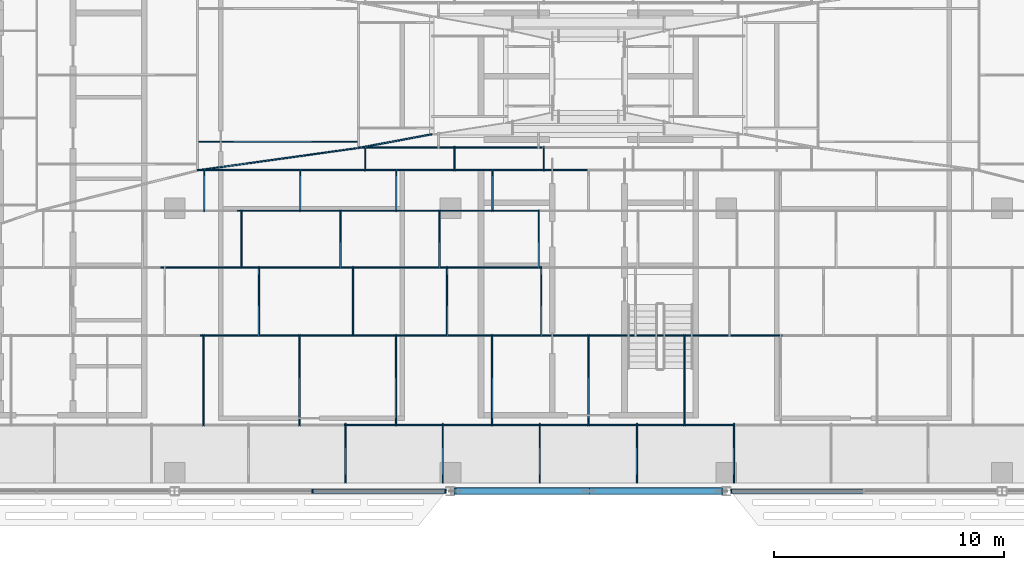
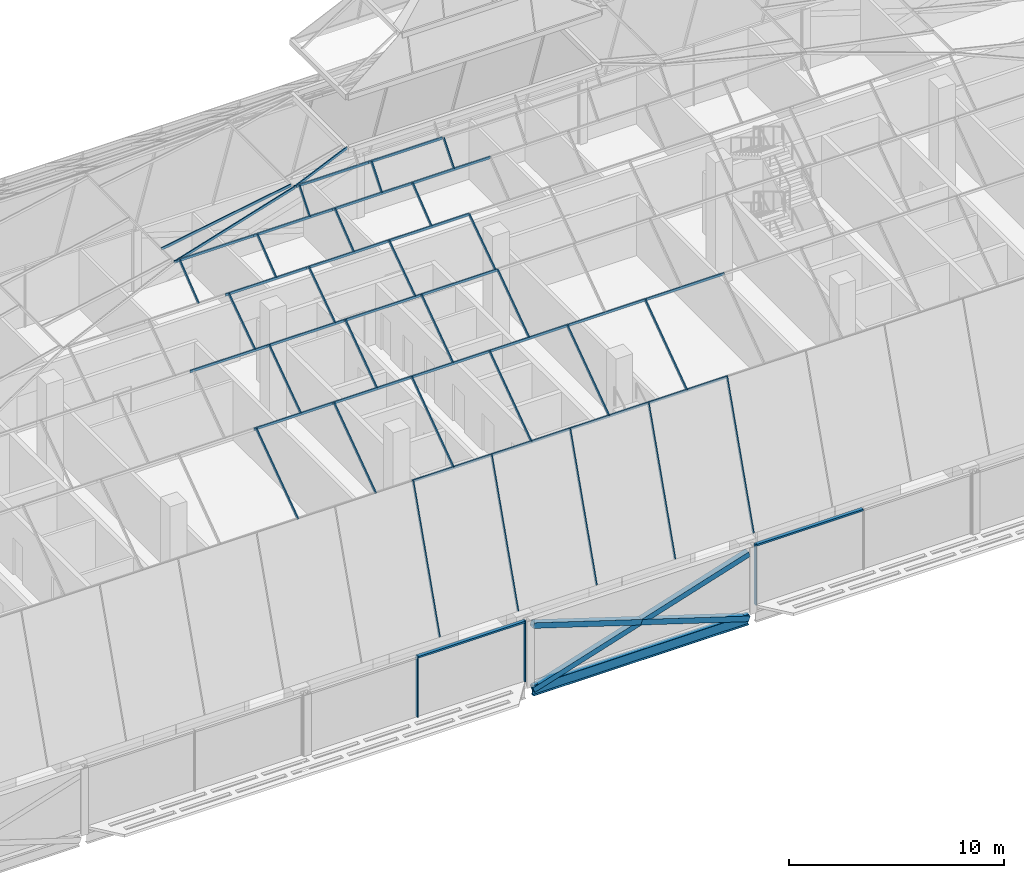
# One storey, part 9 of 39: 60 members, 1 beam, 10 elements without a shape of their own.
"""IFC4 building model written with IfcOpenShell, lengths in metres."""

from ifc_helpers import new_model, si_unit, direction, frame, origin, origin_2d, place, context, subcontext, project, spatial, rectangle, hollow_rectangle, i_section, extrude, material, material_profile, profile_set, type_object, element, aggregate, save


model = new_model("IFC4")

# Units and contexts
model_context = context("Model", 3, precision=1e-05, world=origin(), true_north=direction((0.0, 1.0)))
body_context = subcontext(model_context, "Body", "Model", "MODEL_VIEW")
ifc_project = project(units=[si_unit("LENGTHUNIT", "METRE"), si_unit("AREAUNIT", "SQUARE_METRE"), si_unit("VOLUMEUNIT", "CUBIC_METRE"), si_unit("PLANEANGLEUNIT", "RADIAN"), si_unit("MASSUNIT", "GRAM", prefix="KILO")], contexts=[model_context])

# Site, building, storey
site_placement = place(None, origin())
site = spatial("IfcSite", under=ifc_project, at=site_placement, CompositionType="ELEMENT")
building_placement = place(site_placement, origin())
building = spatial("IfcBuilding", under=site, at=building_placement, Name="Mahtab Terrace Research Tower", CompositionType="ELEMENT")
storey_placement = place(building_placement, frame((0.0, 0.0, 282.300048828125)))
storey = spatial("IfcBuildingStorey", under=building, at=storey_placement, Name="L69", CompositionType="ELEMENT", Elevation=282.300048828125)

# Curtain wall, members
ifc_material_1 = material(Name="Crown faceted glass roof")
curtain_wall_type_1 = type_object("IfcCurtainWallType", Name="Crown faceted glass roof", PredefinedType="NOTDEFINED", material=ifc_material_1)
curtain_wall_1_placement = place(storey_placement, origin())
curtain_wall_1 = element("IfcCurtainWall", 1, at=curtain_wall_1_placement, inside=storey, type_object=curtain_wall_type_1, Name="CROWN.S0", PredefinedType="NOTDEFINED")
ifc_material_2 = material(Name="Natural anodised aluminium", Category="aluminium")
ifc_material_profile_1 = material_profile(ifc_material_2, rectangle(XDim=0.06005859375, YDim=0.139892578125, at=origin_2d()), Name="MULLION 60x140")
ifc_profile_set_1 = profile_set([ifc_material_profile_1], Name="Natural anodised aluminium")
member_type_1 = type_object("IfcMemberType", Name="Crown faceted glass roof mullion", PredefinedType="MULLION", material=ifc_profile_set_1)
member_1_placement = place(storey_placement, frame((-10.55908203125, -11.890625, 3.77783203125), z_axis=(0.0, 0.317653941865, 0.948206714392), x_axis=(-1.0, 0.0, 0.0)))
member_1 = element("IfcMember", 2, at=member_1_placement, type_object=member_type_1, Name="CWC-S1 mullion 9", PredefinedType="MULLION", context=body_context, shape_type="SweptSolid", body=[
    extrude(rectangle(XDim=0.06005859375, YDim=0.139892578125, at=origin_2d()), origin(), (0.0, 0.0, 1.0), 7.80419921875),
])
member_2_placement = place(storey_placement, frame((-6.33544921875, -11.890625, 3.77783203125), z_axis=(0.0, 0.317653941865, 0.948206714392), x_axis=(-1.0, 0.0, 0.0)))
member_2 = element("IfcMember", 3, at=member_2_placement, type_object=member_type_1, Name="CWC-S1 mullion 10", PredefinedType="MULLION", context=body_context, shape_type="SweptSolid", body=[
    extrude(rectangle(XDim=0.06005859375, YDim=0.139892578125, at=origin_2d()), origin(), (0.0, 0.0, 1.0), 7.80419921875),
])
member_3_placement = place(storey_placement, frame((-2.11181640625, -11.890625, 3.77783203125), z_axis=(0.0, 0.317653941865, 0.948206714392), x_axis=(-1.0, 0.0, 0.0)))
member_3 = element("IfcMember", 4, at=member_3_placement, type_object=member_type_1, Name="CWC-S1 mullion 11", PredefinedType="MULLION", context=body_context, shape_type="SweptSolid", body=[
    extrude(rectangle(XDim=0.06005859375, YDim=0.139892578125, at=origin_2d()), origin(), (0.0, 0.0, 1.0), 7.80419921875),
])
member_4_placement = place(storey_placement, frame((2.11181640625, -11.890625, 3.77783203125), z_axis=(0.0, 0.317653941865, 0.948206714392), x_axis=(-1.0, 0.0, 0.0)))
member_4 = element("IfcMember", 5, at=member_4_placement, type_object=member_type_1, Name="CWC-S1 mullion 12", PredefinedType="MULLION", context=body_context, shape_type="SweptSolid", body=[
    extrude(rectangle(XDim=0.06005859375, YDim=0.139892578125, at=origin_2d()), origin(), (0.0, 0.0, 1.0), 7.80419921875),
])
member_5_placement = place(storey_placement, frame((6.33544921875, -11.890625, 3.77783203125), z_axis=(0.0, 0.317653941865, 0.948206714392), x_axis=(-1.0, 0.0, 0.0)))
member_5 = element("IfcMember", 6, at=member_5_placement, type_object=member_type_1, Name="CWC-S1 mullion 13", PredefinedType="MULLION", context=body_context, shape_type="SweptSolid", body=[
    extrude(rectangle(XDim=0.06005859375, YDim=0.139892578125, at=origin_2d()), origin(), (0.0, 0.0, 1.0), 7.80419921875),
])
aggregate(curtain_wall_1, [member_1, member_2, member_3, member_4, member_5])

curtain_wall_2_placement = place(storey_placement, origin())
curtain_wall_2 = element("IfcCurtainWall", 7, at=curtain_wall_2_placement, inside=storey, type_object=curtain_wall_type_1, Name="CROWN.S1", PredefinedType="NOTDEFINED")
member_6_placement = place(storey_placement, frame((-16.745361328125, -9.437255859375, 11.14306640625), z_axis=(0.0, 0.813260115318, 0.581900322077), x_axis=(-1.0, 0.0, 0.0)))
member_6 = element("IfcMember", 8, at=member_6_placement, type_object=member_type_1, Name="CWC-S2 mullion 6", PredefinedType="MULLION", context=body_context, shape_type="SweptSolid", body=[
    extrude(rectangle(XDim=0.06005859375, YDim=0.139892578125, at=origin_2d()), origin(), (0.0, 0.0, 1.0), 4.81201171875),
])
member_7_placement = place(storey_placement, frame((-12.55908203125, -9.437255859375, 11.14306640625), z_axis=(0.0, 0.813260115318, 0.581900322077), x_axis=(-1.0, 0.0, 0.0)))
member_7 = element("IfcMember", 9, at=member_7_placement, type_object=member_type_1, Name="CWC-S2 mullion 7", PredefinedType="MULLION", context=body_context, shape_type="SweptSolid", body=[
    extrude(rectangle(XDim=0.06005859375, YDim=0.139892578125, at=origin_2d()), origin(), (0.0, 0.0, 1.0), 4.81201171875),
])
member_8_placement = place(storey_placement, frame((-8.372802734375, -9.437255859375, 11.14306640625), z_axis=(0.0, 0.813260115318, 0.581900322077), x_axis=(-1.0, 0.0, 0.0)))
member_8 = element("IfcMember", 10, at=member_8_placement, type_object=member_type_1, Name="CWC-S2 mullion 8", PredefinedType="MULLION", context=body_context, shape_type="SweptSolid", body=[
    extrude(rectangle(XDim=0.06005859375, YDim=0.139892578125, at=origin_2d()), origin(), (0.0, 0.0, 1.0), 4.81201171875),
])
member_9_placement = place(storey_placement, frame((-4.186279296875, -9.437255859375, 11.14306640625), z_axis=(0.0, 0.813260115318, 0.581900322077), x_axis=(-1.0, 0.0, 0.0)))
member_9 = element("IfcMember", 11, at=member_9_placement, type_object=member_type_1, Name="CWC-S2 mullion 9", PredefinedType="MULLION", context=body_context, shape_type="SweptSolid", body=[
    extrude(rectangle(XDim=0.06005859375, YDim=0.139892578125, at=origin_2d()), origin(), (0.0, 0.0, 1.0), 4.81201171875),
])
member_10_placement = place(storey_placement, frame((0.0, -9.437255859375, 11.14306640625), z_axis=(0.0, 0.813260115318, 0.581900322077), x_axis=(-1.0, 0.0, 0.0)))
member_10 = element("IfcMember", 12, at=member_10_placement, type_object=member_type_1, Name="CWC-S2 mullion 10", PredefinedType="MULLION", context=body_context, shape_type="SweptSolid", body=[
    extrude(rectangle(XDim=0.06005859375, YDim=0.139892578125, at=origin_2d()), origin(), (0.0, 0.0, 1.0), 4.81201171875),
])
member_11_placement = place(storey_placement, frame((4.186279296875, -9.437255859375, 11.14306640625), z_axis=(0.0, 0.813260115318, 0.581900322077), x_axis=(-1.0, 0.0, 0.0)))
member_11 = element("IfcMember", 13, at=member_11_placement, type_object=member_type_1, Name="CWC-S2 mullion 11", PredefinedType="MULLION", context=body_context, shape_type="SweptSolid", body=[
    extrude(rectangle(XDim=0.06005859375, YDim=0.139892578125, at=origin_2d()), origin(), (0.0, 0.0, 1.0), 4.81201171875),
])

curtain_wall_3_placement = place(storey_placement, origin())
curtain_wall_3 = element("IfcCurtainWall", 14, at=curtain_wall_3_placement, inside=storey, type_object=curtain_wall_type_1, Name="CROWN.S2", PredefinedType="NOTDEFINED")
member_12_placement = place(storey_placement, frame((-14.336181640625, -5.524169921875, 13.94287109375), z_axis=(0.0, 0.815304175088, 0.57903290242), x_axis=(-1.0, 0.0, 0.0)))
member_12 = element("IfcMember", 15, at=member_12_placement, type_object=member_type_1, Name="CWC-S3 mullion 5", PredefinedType="MULLION", context=body_context, shape_type="SweptSolid", body=[
    extrude(rectangle(XDim=0.06005859375, YDim=0.139892578125, at=origin_2d()), origin(), (0.0, 0.0, 1.0), 3.626953125),
])
member_13_placement = place(storey_placement, frame((-10.239990234375, -5.524169921875, 13.94287109375), z_axis=(0.0, 0.815304175088, 0.57903290242), x_axis=(-1.0, 0.0, 0.0)))
member_13 = element("IfcMember", 16, at=member_13_placement, type_object=member_type_1, Name="CWC-S3 mullion 6", PredefinedType="MULLION", context=body_context, shape_type="SweptSolid", body=[
    extrude(rectangle(XDim=0.06005859375, YDim=0.139892578125, at=origin_2d()), origin(), (0.0, 0.0, 1.0), 3.626953125),
])
member_14_placement = place(storey_placement, frame((-6.14404296875, -5.524169921875, 13.94287109375), z_axis=(0.0, 0.815304175088, 0.57903290242), x_axis=(-1.0, 0.0, 0.0)))
member_14 = element("IfcMember", 17, at=member_14_placement, type_object=member_type_1, Name="CWC-S3 mullion 7", PredefinedType="MULLION", context=body_context, shape_type="SweptSolid", body=[
    extrude(rectangle(XDim=0.06005859375, YDim=0.139892578125, at=origin_2d()), origin(), (0.0, 0.0, 1.0), 3.626953125),
])
member_15_placement = place(storey_placement, frame((-2.048095703125, -5.524169921875, 13.94287109375), z_axis=(0.0, 0.815304175088, 0.57903290242), x_axis=(-1.0, 0.0, 0.0)))
member_15 = element("IfcMember", 18, at=member_15_placement, type_object=member_type_1, Name="CWC-S3 mullion 8", PredefinedType="MULLION", context=body_context, shape_type="SweptSolid", body=[
    extrude(rectangle(XDim=0.06005859375, YDim=0.139892578125, at=origin_2d()), origin(), (0.0, 0.0, 1.0), 3.626953125),
])

curtain_wall_4_placement = place(storey_placement, origin())
curtain_wall_4 = element("IfcCurtainWall", 19, at=curtain_wall_4_placement, inside=storey, type_object=curtain_wall_type_1, Name="CROWN.S3", PredefinedType="NOTDEFINED")
member_16_placement = place(storey_placement, frame((-15.091796875, -2.56787109375, 16.042236328125), z_axis=(0.0, 0.822770587003, 0.568373610544), x_axis=(-1.0, 0.0, 0.0)))
member_16 = element("IfcMember", 20, at=member_16_placement, type_object=member_type_1, Name="CWC-S4 mullion 3", PredefinedType="MULLION", context=body_context, shape_type="SweptSolid", body=[
    extrude(rectangle(XDim=0.06005859375, YDim=0.139892578125, at=origin_2d()), origin(), (0.0, 0.0, 1.0), 2.991455078125),
])
member_17_placement = place(storey_placement, frame((-10.77978515625, -2.56787109375, 16.042236328125), z_axis=(0.0, 0.822770587003, 0.568373610544), x_axis=(-1.0, 0.0, 0.0)))
member_17 = element("IfcMember", 21, at=member_17_placement, type_object=member_type_1, Name="CWC-S4 mullion 4", PredefinedType="MULLION", context=body_context, shape_type="SweptSolid", body=[
    extrude(rectangle(XDim=0.06005859375, YDim=0.139892578125, at=origin_2d()), origin(), (0.0, 0.0, 1.0), 2.991455078125),
])
member_18_placement = place(storey_placement, frame((-6.468017578125, -2.56787109375, 16.042236328125), z_axis=(0.0, 0.822770587003, 0.568373610544), x_axis=(-1.0, 0.0, 0.0)))
member_18 = element("IfcMember", 22, at=member_18_placement, type_object=member_type_1, Name="CWC-S4 mullion 5", PredefinedType="MULLION", context=body_context, shape_type="SweptSolid", body=[
    extrude(rectangle(XDim=0.06005859375, YDim=0.139892578125, at=origin_2d()), origin(), (0.0, 0.0, 1.0), 2.991455078125),
])
member_19_placement = place(storey_placement, frame((-2.156005859375, -2.56787109375, 16.042236328125), z_axis=(0.0, 0.822770587003, 0.568373610544), x_axis=(-1.0, 0.0, 0.0)))
member_19 = element("IfcMember", 23, at=member_19_placement, type_object=member_type_1, Name="CWC-S4 mullion 6", PredefinedType="MULLION", context=body_context, shape_type="SweptSolid", body=[
    extrude(rectangle(XDim=0.06005859375, YDim=0.139892578125, at=origin_2d()), origin(), (0.0, 0.0, 1.0), 2.991455078125),
])

curtain_wall_5_placement = place(storey_placement, origin())
curtain_wall_5 = element("IfcCurtainWall", 24, at=curtain_wall_5_placement, inside=storey, type_object=curtain_wall_type_1, Name="CROWN.S4", PredefinedType="NOTDEFINED")
member_20_placement = place(storey_placement, frame((-16.7109375, -0.10302734375, 17.7451171875), z_axis=(0.0, 0.784464538832, 0.620173675122), x_axis=(-1.0, 0.0, 0.0)))
member_20 = element("IfcMember", 25, at=member_20_placement, type_object=member_type_1, Name="CWC-S5 mullion 1", PredefinedType="MULLION", context=body_context, shape_type="SweptSolid", body=[
    extrude(rectangle(XDim=0.06005859375, YDim=0.139892578125, at=origin_2d()), origin(), (0.0, 0.0, 1.0), 2.25732421875),
])
member_21_placement = place(storey_placement, frame((-12.533203125, -0.10302734375, 17.7451171875), z_axis=(0.0, 0.784464538832, 0.620173675122), x_axis=(-1.0, 0.0, 0.0)))
member_21 = element("IfcMember", 26, at=member_21_placement, type_object=member_type_1, Name="CWC-S5 mullion 2", PredefinedType="MULLION", context=body_context, shape_type="SweptSolid", body=[
    extrude(rectangle(XDim=0.06005859375, YDim=0.139892578125, at=origin_2d()), origin(), (0.0, 0.0, 1.0), 2.25732421875),
])
member_22_placement = place(storey_placement, frame((-8.35546875, -0.10302734375, 17.7451171875), z_axis=(0.0, 0.784464538832, 0.620173675122), x_axis=(-1.0, 0.0, 0.0)))
member_22 = element("IfcMember", 27, at=member_22_placement, type_object=member_type_1, Name="CWC-S5 mullion 3", PredefinedType="MULLION", context=body_context, shape_type="SweptSolid", body=[
    extrude(rectangle(XDim=0.06005859375, YDim=0.139892578125, at=origin_2d()), origin(), (0.0, 0.0, 1.0), 2.25732421875),
])
member_23_placement = place(storey_placement, frame((-4.177734375, -0.10302734375, 17.7451171875), z_axis=(0.0, 0.784464538832, 0.620173675122), x_axis=(-1.0, 0.0, 0.0)))
member_23 = element("IfcMember", 28, at=member_23_placement, type_object=member_type_1, Name="CWC-S5 mullion 4", PredefinedType="MULLION", context=body_context, shape_type="SweptSolid", body=[
    extrude(rectangle(XDim=0.06005859375, YDim=0.139892578125, at=origin_2d()), origin(), (0.0, 0.0, 1.0), 2.25732421875),
])

curtain_wall_6_placement = place(storey_placement, origin())
curtain_wall_6 = element("IfcCurtainWall", 29, at=curtain_wall_6_placement, inside=storey, type_object=curtain_wall_type_1, Name="CROWN.S5", PredefinedType="NOTDEFINED")
member_24_placement = place(storey_placement, frame((-9.70654296875, 1.6787109375, 19.15576171875), z_axis=(0.0, 0.630092976718, 0.776519697555), x_axis=(-1.0, 0.0, 0.0)))
member_24 = element("IfcMember", 30, at=member_24_placement, type_object=member_type_1, Name="CWC-S6 mullion 1", PredefinedType="MULLION", context=body_context, shape_type="SweptSolid", body=[
    extrude(rectangle(XDim=0.06005859375, YDim=0.139892578125, at=origin_2d()), origin(), (0.0, 0.0, 1.0), 1.545654296875),
])
member_25_placement = place(storey_placement, frame((-5.823974609375, 1.6787109375, 19.15576171875), z_axis=(0.0, 0.630092976718, 0.776519697555), x_axis=(-1.0, 0.0, 0.0)))
member_25 = element("IfcMember", 31, at=member_25_placement, type_object=member_type_1, Name="CWC-S6 mullion 2", PredefinedType="MULLION", context=body_context, shape_type="SweptSolid", body=[
    extrude(rectangle(XDim=0.06005859375, YDim=0.139892578125, at=origin_2d()), origin(), (0.0, 0.0, 1.0), 1.545654296875),
])
member_26_placement = place(storey_placement, frame((-1.94140625, 1.6787109375, 19.15576171875), z_axis=(0.0, 0.630092976718, 0.776519697555), x_axis=(-1.0, 0.0, 0.0)))
member_26 = element("IfcMember", 32, at=member_26_placement, type_object=member_type_1, Name="CWC-S6 mullion 3", PredefinedType="MULLION", context=body_context, shape_type="SweptSolid", body=[
    extrude(rectangle(XDim=0.06005859375, YDim=0.139892578125, at=origin_2d()), origin(), (0.0, 0.0, 1.0), 1.545654296875),
])

# Curtain wall, member
curtain_wall_7_placement = place(storey_placement, origin())
curtain_wall_7 = element("IfcCurtainWall", 33, at=curtain_wall_7_placement, inside=storey, type_object=curtain_wall_type_1, Name="CROWN.W5", PredefinedType="NOTDEFINED")
member_27_placement = place(storey_placement, frame((-16.999267578125, 2.898193359375, 19.130859375), z_axis=(0.985636308822, 0.0, 0.168881812909), x_axis=(0.0, 1.0, 0.0)))
member_27 = element("IfcMember", 34, at=member_27_placement, type_object=member_type_1, Name="CWC-W6 mullion 1", PredefinedType="MULLION", context=body_context, shape_type="SweptSolid", body=[
    extrude(rectangle(XDim=0.06005859375, YDim=0.139892578125, at=origin_2d()), origin(), (0.0, 0.0, 1.0), 7.106689453125),
])
aggregate(curtain_wall_7, [member_27])

# Member
member_28_placement = place(storey_placement, frame((-17.00439453125, 1.654541015625, 19.13720703125), z_axis=(0.976514044141, 0.135772552181, 0.167290572567), x_axis=(-0.137713257703, 0.990472139261, 0.0)))
member_28 = element("IfcMember", 35, at=member_28_placement, type_object=member_type_1, Name="CWC hip SW 6", PredefinedType="MULLION", context=body_context, shape_type="SweptSolid", body=[
    extrude(rectangle(XDim=0.06005859375, YDim=0.139892578125, at=origin_2d()), origin(), (0.0, 0.0, 1.0), 7.1728515625),
])

# Curtain wall, member
curtain_wall_8_placement = place(storey_placement, origin())
curtain_wall_8 = element("IfcCurtainWall", 36, at=curtain_wall_8_placement, inside=storey, type_object=curtain_wall_type_1, Name="CROWN.S6", PredefinedType="NOTDEFINED")
member_29_placement = place(storey_placement, frame((-9.996826171875, 2.6298828125, 20.338134765625), z_axis=(0.954542574047, 0.177826989169, 0.239219640192), x_axis=(-0.183144501834, 0.983086004095, 0.0)))
member_29 = element("IfcMember", 37, at=member_29_placement, type_object=member_type_1, Name="CWC hip SW 7", PredefinedType="MULLION", context=body_context, shape_type="SweptSolid", body=[
    extrude(rectangle(XDim=0.06005859375, YDim=0.139892578125, at=origin_2d()), origin(), (0.0, 0.0, 1.0), 3.344482421875),
])

# Member
ifc_material_profile_2 = material_profile(ifc_material_2, rectangle(XDim=0.06005859375, YDim=0.139892578125, at=origin_2d()), Name="TRANSOM 60x140")
ifc_profile_set_2 = profile_set([ifc_material_profile_2], Name="Natural anodised aluminium")
member_type_2 = type_object("IfcMemberType", Name="Crown faceted glass roof transom", PredefinedType="USERDEFINED", material=ifc_profile_set_2)
member_30_placement = place(storey_placement, frame((-10.630615234375, -9.421630859375, 11.158447265625), z_axis=(1.0, 0.0, 0.0), x_axis=(0.0, 1.0, 0.0)))
member_30 = element("IfcMember", 38, at=member_30_placement, type_object=member_type_2, Name="CWC-S2 transom 9", ObjectType="TRANSOM", PredefinedType="USERDEFINED", context=body_context, shape_type="SweptSolid", body=[
    extrude(rectangle(XDim=0.06005859375, YDim=0.139892578125, at=origin_2d()), origin(), (0.0, 0.0, 1.0), 4.252197265625),
])

member_31_placement = place(storey_placement, frame((-6.37841796875, -9.421630859375, 11.158447265625), z_axis=(1.0, 0.0, 0.0), x_axis=(0.0, 1.0, 0.0)))
member_31 = element("IfcMember", 39, at=member_31_placement, type_object=member_type_2, Name="CWC-S2 transom 10", ObjectType="TRANSOM", PredefinedType="USERDEFINED", context=body_context, shape_type="SweptSolid", body=[
    extrude(rectangle(XDim=0.06005859375, YDim=0.139892578125, at=origin_2d()), origin(), (0.0, 0.0, 1.0), 4.252197265625),
])

member_32_placement = place(storey_placement, frame((-2.126220703125, -9.421630859375, 11.158447265625), z_axis=(1.0, 0.0, 0.0), x_axis=(0.0, 1.0, 0.0)))
member_32 = element("IfcMember", 40, at=member_32_placement, type_object=member_type_2, Name="CWC-S2 transom 11", ObjectType="TRANSOM", PredefinedType="USERDEFINED", context=body_context, shape_type="SweptSolid", body=[
    extrude(rectangle(XDim=0.06005859375, YDim=0.139892578125, at=origin_2d()), origin(), (0.0, 0.0, 1.0), 4.25244140625),
])

member_33_placement = place(storey_placement, frame((2.126220703125, -9.421630859375, 11.158447265625), z_axis=(1.0, 0.0, 0.0), x_axis=(0.0, 1.0, 0.0)))
member_33 = element("IfcMember", 41, at=member_33_placement, type_object=member_type_2, Name="CWC-S2 transom 12", ObjectType="TRANSOM", PredefinedType="USERDEFINED", context=body_context, shape_type="SweptSolid", body=[
    extrude(rectangle(XDim=0.06005859375, YDim=0.139892578125, at=origin_2d()), origin(), (0.0, 0.0, 1.0), 4.252197265625),
])

aggregate(curtain_wall_2, [member_6, member_7, member_8, member_9, member_10, member_11, member_30, member_31, member_32, member_33])

member_34_placement = place(storey_placement, frame((-16.878662109375, -5.524169921875, 13.94287109375), z_axis=(1.0, 0.0, 0.0), x_axis=(0.0, 1.0, 0.0)))
member_34 = element("IfcMember", 42, at=member_34_placement, type_object=member_type_2, Name="CWC-S3 transom 6", ObjectType="TRANSOM", PredefinedType="USERDEFINED", context=body_context, shape_type="SweptSolid", body=[
    extrude(rectangle(XDim=0.06005859375, YDim=0.139892578125, at=origin_2d()), origin(), (0.0, 0.0, 1.0), 4.2197265625),
])

member_35_placement = place(storey_placement, frame((-12.658935546875, -5.524169921875, 13.94287109375), z_axis=(1.0, 0.0, 0.0), x_axis=(0.0, 1.0, 0.0)))
member_35 = element("IfcMember", 43, at=member_35_placement, type_object=member_type_2, Name="CWC-S3 transom 7", ObjectType="TRANSOM", PredefinedType="USERDEFINED", context=body_context, shape_type="SweptSolid", body=[
    extrude(rectangle(XDim=0.06005859375, YDim=0.139892578125, at=origin_2d()), origin(), (0.0, 0.0, 1.0), 4.2197265625),
])

member_36_placement = place(storey_placement, frame((-8.439208984375, -5.524169921875, 13.94287109375), z_axis=(1.0, 0.0, 0.0), x_axis=(0.0, 1.0, 0.0)))
member_36 = element("IfcMember", 44, at=member_36_placement, type_object=member_type_2, Name="CWC-S3 transom 8", ObjectType="TRANSOM", PredefinedType="USERDEFINED", context=body_context, shape_type="SweptSolid", body=[
    extrude(rectangle(XDim=0.06005859375, YDim=0.139892578125, at=origin_2d()), origin(), (0.0, 0.0, 1.0), 4.219482421875),
])

member_37_placement = place(storey_placement, frame((-4.2197265625, -5.524169921875, 13.94287109375), z_axis=(1.0, 0.0, 0.0), x_axis=(0.0, 1.0, 0.0)))
member_37 = element("IfcMember", 45, at=member_37_placement, type_object=member_type_2, Name="CWC-S3 transom 9", ObjectType="TRANSOM", PredefinedType="USERDEFINED", context=body_context, shape_type="SweptSolid", body=[
    extrude(rectangle(XDim=0.06005859375, YDim=0.139892578125, at=origin_2d()), origin(), (0.0, 0.0, 1.0), 4.2197265625),
])

member_38_placement = place(storey_placement, frame((0.0, -5.524169921875, 13.94287109375), z_axis=(1.0, 0.0, 0.0), x_axis=(0.0, 1.0, 0.0)))
member_38 = element("IfcMember", 46, at=member_38_placement, type_object=member_type_2, Name="CWC-S3 transom 10", ObjectType="TRANSOM", PredefinedType="USERDEFINED", context=body_context, shape_type="SweptSolid", body=[
    extrude(rectangle(XDim=0.06005859375, YDim=0.139892578125, at=origin_2d()), origin(), (0.0, 0.0, 1.0), 4.2197265625),
])

member_39_placement = place(storey_placement, frame((4.2197265625, -5.524169921875, 13.94287109375), z_axis=(1.0, 0.0, 0.0), x_axis=(0.0, 1.0, 0.0)))
member_39 = element("IfcMember", 47, at=member_39_placement, type_object=member_type_2, Name="CWC-S3 transom 11", ObjectType="TRANSOM", PredefinedType="USERDEFINED", context=body_context, shape_type="SweptSolid", body=[
    extrude(rectangle(XDim=0.06005859375, YDim=0.139892578125, at=origin_2d()), origin(), (0.0, 0.0, 1.0), 4.219482421875),
])

aggregate(curtain_wall_3, [member_12, member_13, member_14, member_15, member_34, member_35, member_36, member_37, member_38, member_39])

member_40_placement = place(storey_placement, frame((-18.612060546875, -2.5673828125, 16.042724609375), z_axis=(1.0, 0.0, 0.0), x_axis=(0.0, 1.0, 0.0)))
member_40 = element("IfcMember", 48, at=member_40_placement, type_object=member_type_2, Name="CWC-S4 transom 4", ObjectType="TRANSOM", PredefinedType="USERDEFINED", context=body_context, shape_type="SweptSolid", body=[
    extrude(rectangle(XDim=0.06005859375, YDim=0.139892578125, at=origin_2d()), origin(), (0.0, 0.0, 1.0), 4.135986328125),
])

member_41_placement = place(storey_placement, frame((-14.47607421875, -2.5673828125, 16.042724609375), z_axis=(1.0, 0.0, 0.0), x_axis=(0.0, 1.0, 0.0)))
member_41 = element("IfcMember", 49, at=member_41_placement, type_object=member_type_2, Name="CWC-S4 transom 5", ObjectType="TRANSOM", PredefinedType="USERDEFINED", context=body_context, shape_type="SweptSolid", body=[
    extrude(rectangle(XDim=0.06005859375, YDim=0.139892578125, at=origin_2d()), origin(), (0.0, 0.0, 1.0), 4.135986328125),
])

member_42_placement = place(storey_placement, frame((-10.340087890625, -2.5673828125, 16.042724609375), z_axis=(1.0, 0.0, 0.0), x_axis=(0.0, 1.0, 0.0)))
member_42 = element("IfcMember", 50, at=member_42_placement, type_object=member_type_2, Name="CWC-S4 transom 6", ObjectType="TRANSOM", PredefinedType="USERDEFINED", context=body_context, shape_type="SweptSolid", body=[
    extrude(rectangle(XDim=0.06005859375, YDim=0.139892578125, at=origin_2d()), origin(), (0.0, 0.0, 1.0), 4.135986328125),
])

member_43_placement = place(storey_placement, frame((-6.2041015625, -2.5673828125, 16.042724609375), z_axis=(1.0, 0.0, 0.0), x_axis=(0.0, 1.0, 0.0)))
member_43 = element("IfcMember", 51, at=member_43_placement, type_object=member_type_2, Name="CWC-S4 transom 7", ObjectType="TRANSOM", PredefinedType="USERDEFINED", context=body_context, shape_type="SweptSolid", body=[
    extrude(rectangle(XDim=0.06005859375, YDim=0.139892578125, at=origin_2d()), origin(), (0.0, 0.0, 1.0), 4.135986328125),
])

aggregate(curtain_wall_4, [member_16, member_17, member_18, member_19, member_40, member_41, member_42, member_43])

member_44_placement = place(storey_placement, frame((-15.28271484375, -0.104736328125, 17.74365234375), z_axis=(1.0, 0.0, 0.0), x_axis=(0.0, 1.0, 0.0)))
member_44 = element("IfcMember", 52, at=member_44_placement, type_object=member_type_2, Name="CWC-S5 transom 3", ObjectType="TRANSOM", PredefinedType="USERDEFINED", context=body_context, shape_type="SweptSolid", body=[
    extrude(rectangle(XDim=0.06005859375, YDim=0.139892578125, at=origin_2d()), origin(), (0.0, 0.0, 1.0), 4.366455078125),
])

member_45_placement = place(storey_placement, frame((-10.916259765625, -0.104736328125, 17.74365234375), z_axis=(1.0, 0.0, 0.0), x_axis=(0.0, 1.0, 0.0)))
member_45 = element("IfcMember", 53, at=member_45_placement, type_object=member_type_2, Name="CWC-S5 transom 4", ObjectType="TRANSOM", PredefinedType="USERDEFINED", context=body_context, shape_type="SweptSolid", body=[
    extrude(rectangle(XDim=0.06005859375, YDim=0.139892578125, at=origin_2d()), origin(), (0.0, 0.0, 1.0), 4.366455078125),
])

member_46_placement = place(storey_placement, frame((-6.5498046875, -0.104736328125, 17.74365234375), z_axis=(1.0, 0.0, 0.0), x_axis=(0.0, 1.0, 0.0)))
member_46 = element("IfcMember", 54, at=member_46_placement, type_object=member_type_2, Name="CWC-S5 transom 5", ObjectType="TRANSOM", PredefinedType="USERDEFINED", context=body_context, shape_type="SweptSolid", body=[
    extrude(rectangle(XDim=0.06005859375, YDim=0.139892578125, at=origin_2d()), origin(), (0.0, 0.0, 1.0), 4.36669921875),
])

aggregate(curtain_wall_5, [member_20, member_21, member_22, member_23, member_44, member_45, member_46])

member_47_placement = place(storey_placement, frame((-17.010986328125, 1.673583984375, 19.150146484375), z_axis=(1.0, 0.0, 0.0), x_axis=(0.0, 1.0, 0.0)))
member_47 = element("IfcMember", 55, at=member_47_placement, type_object=member_type_2, Name="CWC-S6 transom 1", ObjectType="TRANSOM", PredefinedType="USERDEFINED", context=body_context, shape_type="SweptSolid", body=[
    extrude(rectangle(XDim=0.06005859375, YDim=0.139892578125, at=origin_2d()), origin(), (0.0, 0.0, 1.0), 4.252685546875),
])

member_48_placement = place(storey_placement, frame((-12.75830078125, 1.673583984375, 19.150146484375), z_axis=(1.0, 0.0, 0.0), x_axis=(0.0, 1.0, 0.0)))
member_48 = element("IfcMember", 56, at=member_48_placement, type_object=member_type_2, Name="CWC-S6 transom 2", ObjectType="TRANSOM", PredefinedType="USERDEFINED", context=body_context, shape_type="SweptSolid", body=[
    extrude(rectangle(XDim=0.06005859375, YDim=0.139892578125, at=origin_2d()), origin(), (0.0, 0.0, 1.0), 4.252685546875),
])

member_49_placement = place(storey_placement, frame((-8.505615234375, 1.673583984375, 19.150146484375), z_axis=(1.0, 0.0, 0.0), x_axis=(0.0, 1.0, 0.0)))
member_49 = element("IfcMember", 57, at=member_49_placement, type_object=member_type_2, Name="CWC-S6 transom 3", ObjectType="TRANSOM", PredefinedType="USERDEFINED", context=body_context, shape_type="SweptSolid", body=[
    extrude(rectangle(XDim=0.06005859375, YDim=0.139892578125, at=origin_2d()), origin(), (0.0, 0.0, 1.0), 4.2529296875),
])

member_50_placement = place(storey_placement, frame((-4.252685546875, 1.673583984375, 19.150146484375), z_axis=(1.0, 0.0, 0.0), x_axis=(0.0, 1.0, 0.0)))
member_50 = element("IfcMember", 58, at=member_50_placement, type_object=member_type_2, Name="CWC-S6 transom 4", ObjectType="TRANSOM", PredefinedType="USERDEFINED", context=body_context, shape_type="SweptSolid", body=[
    extrude(rectangle(XDim=0.06005859375, YDim=0.139892578125, at=origin_2d()), origin(), (0.0, 0.0, 1.0), 4.252685546875),
])

aggregate(curtain_wall_6, [member_24, member_25, member_26, member_47, member_48, member_49, member_50, member_28])

member_51_placement = place(storey_placement, frame((-10.006591796875, 2.6533203125, 20.35693359375), z_axis=(1.0, 0.0, 0.0), x_axis=(0.0, 1.0, 0.0)))
member_51 = element("IfcMember", 59, at=member_51_placement, type_object=member_type_2, Name="CWC-S7 transom 1", ObjectType="TRANSOM", PredefinedType="USERDEFINED", context=body_context, shape_type="SweptSolid", body=[
    extrude(rectangle(XDim=0.06005859375, YDim=0.139892578125, at=origin_2d()), origin(), (0.0, 0.0, 1.0), 4.002685546875),
])

member_52_placement = place(storey_placement, frame((-6.00390625, 2.6533203125, 20.35693359375), z_axis=(1.0, 0.0, 0.0), x_axis=(0.0, 1.0, 0.0)))
member_52 = element("IfcMember", 60, at=member_52_placement, type_object=member_type_2, Name="CWC-S7 transom 2", ObjectType="TRANSOM", PredefinedType="USERDEFINED", context=body_context, shape_type="SweptSolid", body=[
    extrude(rectangle(XDim=0.06005859375, YDim=0.139892578125, at=origin_2d()), origin(), (0.0, 0.0, 1.0), 4.002685546875),
])

aggregate(curtain_wall_8, [member_51, member_52, member_29])

# Members
ifc_material_3 = material(Name="Steel ASTM A500 Gr C", Category="steel")
ifc_material_profile_3 = material_profile(ifc_material_3, hollow_rectangle(XDim=0.3046875, YDim=0.3046875, WallThickness=0.015869140625, at=origin_2d()), Name="HSS12X12X5/8")
ifc_profile_set_3 = profile_set([ifc_material_profile_3], Name="Steel ASTM A500 Gr C")
member_type_3 = type_object("IfcMemberType", Name="HSS 12x12x5/8 brace XB121258", PredefinedType="BRACE", material=ifc_profile_set_3)
member_53_placement = place(storey_placement, frame((-5.80322265625, -12.306884765625, -0.581298828125), z_axis=(0.953344149173, 0.0, 0.301885629399), x_axis=(0.0, 1.0, 0.0)))
element("IfcMember", 61, at=member_53_placement, inside=storey, type_object=member_type_3, Name="Exoskeleton brace L69 17 a", PredefinedType="BRACE", context=body_context, shape_type="SweptSolid", body=[
    extrude(hollow_rectangle(XDim=0.3046875, YDim=0.3046875, WallThickness=0.015869140625, at=origin_2d()), origin(), (0.0, 0.0, 1.0), 12.174560546875),
])
for number, where, z_axis, x_axis, name in (
    (62, (5.80322265625, -12.306884765625, -0.581298828125), (-0.953344149173, 0.0, 0.301885629399), (0.0, -1.0, 0.0), "Exoskeleton brace L69 17 b1"),
    (63, (0.0, -12.306884765625, 1.25634765625), (-0.953344149173, 0.0, 0.301885629399), (0.0, -1.0, 0.0), "Exoskeleton brace L69 17 b2"),
):
    element("IfcMember", number, at=place(storey_placement, frame(where, z_axis=z_axis, x_axis=x_axis)), inside=storey, type_object=member_type_3, Name=name, PredefinedType="BRACE", context=body_context, shape_type="SweptSolid", body=[
        extrude(hollow_rectangle(XDim=0.3046875, YDim=0.3046875, WallThickness=0.015869140625, at=origin_2d()), origin(), (0.0, 0.0, 1.0), 6.087158203125),
    ])

# Curtain wall, members
ifc_material_4 = material(Name="Office ribbon curtain wall")
curtain_wall_type_2 = type_object("IfcCurtainWallType", Name="Office ribbon curtain wall", PredefinedType="NOTDEFINED", material=ifc_material_4)
curtain_wall_9_placement = place(storey_placement, origin())
curtain_wall_9 = element("IfcCurtainWall", 64, at=curtain_wall_9_placement, inside=storey, type_object=curtain_wall_type_2, Name="EN.L69.13.25", PredefinedType="NOTDEFINED")
ifc_material_profile_4 = material_profile(ifc_material_2, rectangle(XDim=0.179931640625, YDim=0.06005859375, at=origin_2d()), Name="MULLION 60x180")
ifc_profile_set_4 = profile_set([ifc_material_profile_4], Name="Natural anodised aluminium")
member_type_4 = type_object("IfcMemberType", Name="Office ribbon curtain wall mullion", PredefinedType="MULLION", material=ifc_profile_set_4)
member_54_placement = place(storey_placement, frame((-12.0, -12.306884765625, 0.0), z_axis=(0.0, 0.0, 1.0), x_axis=(0.0, 1.0, 0.0)))
member_54 = element("IfcMember", 65, at=member_54_placement, type_object=member_type_4, Name="CWO-8 mullion 2", PredefinedType="MULLION", context=body_context, shape_type="SweptSolid", body=[
    extrude(rectangle(XDim=0.179931640625, YDim=0.06005859375, at=origin_2d()), origin(), (0.0, 0.0, 1.0), 3.4599609375),
])
member_55_placement = place(storey_placement, frame((-6.218017578125, -12.306884765625, 0.0), z_axis=(0.0, 0.0, 1.0), x_axis=(0.0, 1.0, 0.0)))
member_55 = element("IfcMember", 66, at=member_55_placement, type_object=member_type_4, Name="CWO-8 mullion 3", PredefinedType="MULLION", context=body_context, shape_type="SweptSolid", body=[
    extrude(rectangle(XDim=0.179931640625, YDim=0.06005859375, at=origin_2d()), origin(), (0.0, 0.0, 1.0), 3.4599609375),
])

# Curtain wall, member
curtain_wall_10_placement = place(storey_placement, origin())
curtain_wall_10 = element("IfcCurtainWall", 67, at=curtain_wall_10_placement, inside=storey, type_object=curtain_wall_type_2, Name="EN.L69.13.27", PredefinedType="NOTDEFINED")
member_56_placement = place(storey_placement, frame((6.218017578125, -12.306884765625, 0.0), z_axis=(0.0, 0.0, 1.0), x_axis=(0.0, 1.0, 0.0)))
member_56 = element("IfcMember", 68, at=member_56_placement, type_object=member_type_4, Name="CWO-8 mullion 1", PredefinedType="MULLION", context=body_context, shape_type="SweptSolid", body=[
    extrude(rectangle(XDim=0.179931640625, YDim=0.06005859375, at=origin_2d()), origin(), (0.0, 0.0, 1.0), 3.4599609375),
])

# Member
ifc_material_profile_5 = material_profile(ifc_material_2, rectangle(XDim=0.179931640625, YDim=0.10009765625, at=origin_2d()), Name="TRANSOM 100x180")
ifc_profile_set_5 = profile_set([ifc_material_profile_5], Name="Natural anodised aluminium")
member_type_5 = type_object("IfcMemberType", Name="Office ribbon curtain wall transom", PredefinedType="USERDEFINED", material=ifc_profile_set_5)
member_57_placement = place(storey_placement, frame((-11.969970703125, -12.306884765625, 3.409912109375), z_axis=(1.0, 0.0, 0.0), x_axis=(0.0, 1.0, 0.0)))
member_57 = element("IfcMember", 69, at=member_57_placement, type_object=member_type_5, Name="CWO-8 transom 2", ObjectType="TRANSOM", PredefinedType="USERDEFINED", context=body_context, shape_type="SweptSolid", body=[
    extrude(rectangle(XDim=0.179931640625, YDim=0.10009765625, at=origin_2d()), origin(), (0.0, 0.0, 1.0), 5.721923828125),
])

aggregate(curtain_wall_9, [member_54, member_55, member_57])

member_58_placement = place(storey_placement, frame((6.248046875, -12.306884765625, 3.409912109375), z_axis=(1.0, 0.0, 0.0), x_axis=(0.0, 1.0, 0.0)))
member_58 = element("IfcMember", 70, at=member_58_placement, type_object=member_type_5, Name="CWO-8 transom 1", ObjectType="TRANSOM", PredefinedType="USERDEFINED", context=body_context, shape_type="SweptSolid", body=[
    extrude(rectangle(XDim=0.179931640625, YDim=0.10009765625, at=origin_2d()), origin(), (0.0, 0.0, 1.0), 5.721923828125),
])

aggregate(curtain_wall_10, [member_56, member_58])

# Beam
ifc_material_5 = material(Name="Steel ASTM A992 Gr 50", Category="steel")
ifc_material_profile_6 = material_profile(ifc_material_5, i_section(OverallWidth=0.228271484375, OverallDepth=0.607177734375, WebThickness=0.01123046875, FlangeThickness=0.017333984375, at=origin_2d()), Name="W24X76")
ifc_profile_set_6 = profile_set([ifc_material_profile_6], Name="Steel ASTM A992 Gr 50")
beam_type = type_object("IfcBeamType", Name="W24x76 beam BS2476", PredefinedType="BEAM", material=ifc_profile_set_6)
beam_placement = place(storey_placement, frame((-5.80322265625, -12.306884765625, -0.6435546875), z_axis=(1.0, 0.0, 0.0), x_axis=(0.0, 1.0, 0.0)))
element("IfcBeam", 71, at=beam_placement, inside=storey, type_object=beam_type, Name="Spandrel beam L69 17", PredefinedType="BEAM", context=body_context, shape_type="SweptSolid", body=[
    extrude(i_section(OverallWidth=0.228271484375, OverallDepth=0.607177734375, WebThickness=0.01123046875, FlangeThickness=0.017333984375, at=origin_2d()), origin(), (0.0, 0.0, 1.0), 11.6064453125),
])

save(model, "model.ifc")
